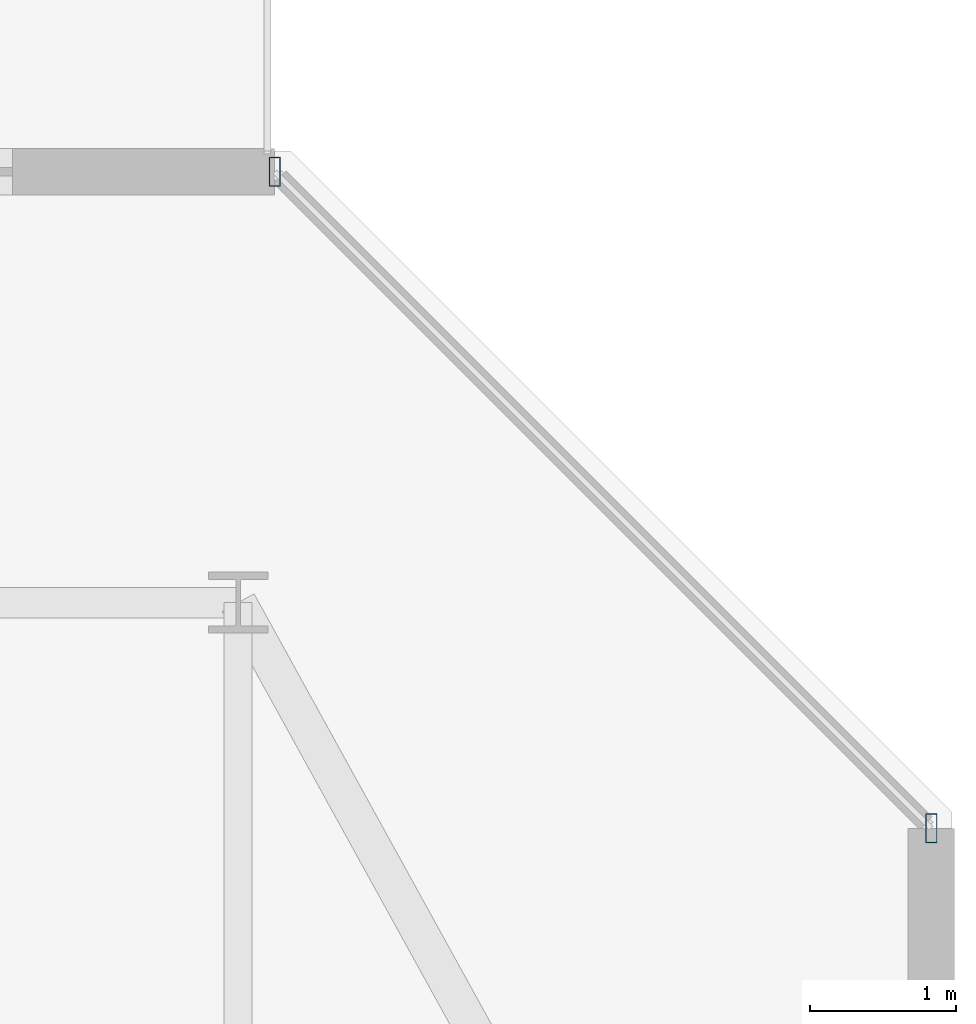
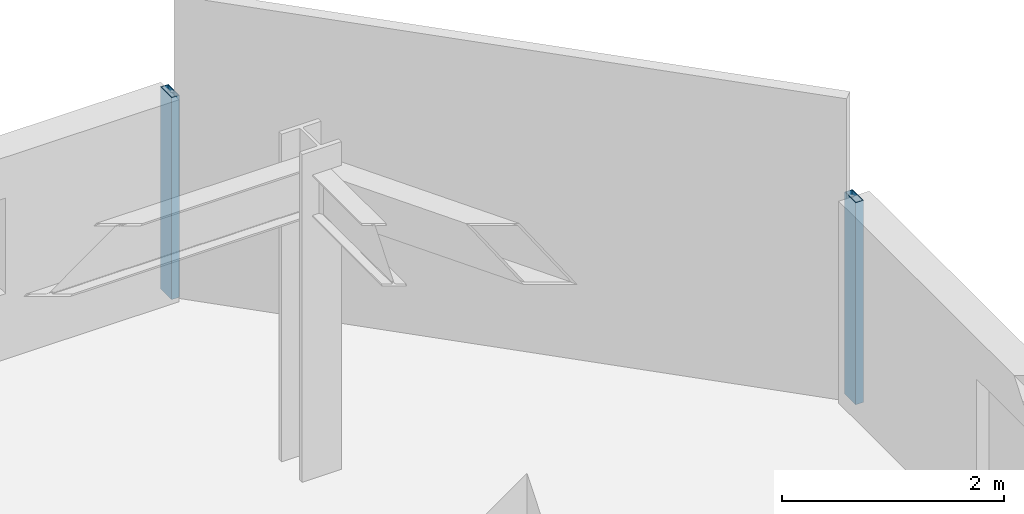
# One storey, part 16 of 36: 2 members, 1 element without a shape of its own.
"""IFC4 building model written with IfcOpenShell, lengths in metres."""

import ifcopenshell
import ifcopenshell.guid

model = None  # the IFC model being written
_history = None  # IfcOwnerHistory: only IFC2X3 demands one
_inside = {}  # id of a spatial element -> (the spatial element, [elements in it])
_under = {}  # id of a project, library or spatial element -> (it, [spatial elements below it])
_declared = {}  # id of a project -> (the project, [libraries it declares])
_typed = {}  # id of a type object -> (the type object, [elements of that type])
_made_of = {}  # id of a material, layer set ... -> (it, [elements and type objects made of it])


def new_model(schema):
    """Start an empty IFC model of exactly this schema.

    Asked for "IFC4X3", IfcOpenShell would pick the latest addendum, in which some entities
    have other attributes; the version numbers below select the first issue.
    IFC2X3 requires an IfcOwnerHistory on every rooted entity: one is made here for all.
    """
    global model, _history
    if schema == "IFC4X3":
        model = ifcopenshell.file(schema_version=(4, 3, 0, 0))
    else:
        model = ifcopenshell.file(schema=schema)
    _inside.clear()
    _under.clear()
    _declared.clear()
    _typed.clear()
    _made_of.clear()
    _history = None
    if model.schema == "IFC2X3":
        org = make("IfcOrganization", Name="unknown")
        user = make(
            "IfcPersonAndOrganization",
            ThePerson=make("IfcPerson", FamilyName="unknown"),
            TheOrganization=org,
        )
        app = make(
            "IfcApplication",
            ApplicationDeveloper=org,
            Version="unknown",
            ApplicationFullName="unknown",
            ApplicationIdentifier="unknown",
        )
        _history = make(
            "IfcOwnerHistory",
            OwningUser=user,
            OwningApplication=app,
            ChangeAction="ADDED",
            CreationDate=0,
        )
    return model


def make(cls, **values):
    """One entity of the class cls with the attributes given. An attribute that is None is left unset."""
    return model.create_entity(
        cls, **{name: value for name, value in values.items() if value is not None}
    )


def rooted(cls, **values):
    """An entity with a GlobalId (a new one), such as an element, a storey or a relation."""
    return make(cls, GlobalId=ifcopenshell.guid.new(), OwnerHistory=_history, **values)


def si_unit(unit_type, name, prefix=None):
    """IfcSIUnit, for example si_unit("LENGTHUNIT", "METRE", prefix="MILLI")."""
    return make("IfcSIUnit", UnitType=unit_type, Prefix=prefix, Name=name)


def assignment(units):
    """IfcUnitAssignment: the units of a project."""
    return None if units is None else make("IfcUnitAssignment", Units=units)


def point(xyz):
    """IfcCartesianPoint."""
    return None if xyz is None else make("IfcCartesianPoint", Coordinates=xyz)


def direction(xyz):
    """IfcDirection."""
    return None if xyz is None else make("IfcDirection", DirectionRatios=xyz)


def frame(location, z_axis=None, x_axis=None):
    """IfcAxis2Placement3D, a coordinate frame: its origin and axes. An axis left out is left unset."""
    return make(
        "IfcAxis2Placement3D",
        Location=point(location),
        Axis=direction(z_axis),
        RefDirection=direction(x_axis),
    )


def frame_2d(location, x_axis=None):
    """IfcAxis2Placement2D, a coordinate frame in the plane: its origin and x axis."""
    return make(
        "IfcAxis2Placement2D", Location=point(location), RefDirection=direction(x_axis)
    )


def origin():
    """The frame at (0, 0, 0) with its axes left unset."""
    return frame((0.0, 0.0, 0.0))


def origin_2d():
    """The frame at (0, 0) in the plane with its x axis left unset."""
    return frame_2d((0.0, 0.0))


def place(relative_to, where):
    """IfcLocalPlacement: puts the frame where relative to a parent placement (None: the world)."""
    return make(
        "IfcLocalPlacement", PlacementRelTo=relative_to, RelativePlacement=where
    )


def context(
    kind, dimensions, precision=None, world=None, true_north=None, identifier=None
):
    """IfcGeometricRepresentationContext, for example the 3D "Model" context."""
    return make(
        "IfcGeometricRepresentationContext",
        ContextIdentifier=identifier,
        ContextType=kind,
        CoordinateSpaceDimension=dimensions,
        Precision=precision,
        WorldCoordinateSystem=world,
        TrueNorth=true_north,
    )


def subcontext(parent, identifier, kind, view, scale=None):
    """IfcGeometricRepresentationSubContext, for example "Body" below "Model"."""
    return make(
        "IfcGeometricRepresentationSubContext",
        ContextIdentifier=identifier,
        ContextType=kind,
        ParentContext=parent,
        TargetScale=scale,
        TargetView=view,
    )


def project(units=None, contexts=None):
    """IfcProject with its units and contexts."""
    return rooted(
        "IfcProject",
        Name="project",
        RepresentationContexts=contexts,
        UnitsInContext=assignment(units),
    )


def spatial(cls, under=None, at=None, **own):
    """A site, building, storey or space (cls), placed at a placement, below another one or the project."""
    s = rooted(cls, ObjectPlacement=at, **own)
    if under is not None:
        _under.setdefault(under.id(), (under, []))[1].append(s)
    return s


def profile(cls, at=None, kind="AREA", **sizes):
    """A parametric profile (cls). Its sizes go by their IFC names, for example OverallWidth=200.0."""
    return make(cls, ProfileType=kind, Position=at, **sizes)


def hollow_rectangle(**sizes):
    """IfcRectangleHollowProfileDef."""
    return profile("IfcRectangleHollowProfileDef", **sizes)


def extrude(swept, where, along, depth):
    """IfcExtrudedAreaSolid: the profile swept, set in the frame where, extruded along a direction by depth."""
    return make(
        "IfcExtrudedAreaSolid",
        SweptArea=swept,
        Position=where,
        ExtrudedDirection=direction(along),
        Depth=depth,
    )


def shape(context_of_items, identifier, shape_type, items):
    """IfcShapeRepresentation: the items that make up one representation, for example the "Body"."""
    return make(
        "IfcShapeRepresentation",
        ContextOfItems=context_of_items,
        RepresentationIdentifier=identifier,
        RepresentationType=shape_type,
        Items=items,
    )


def material(Name=None, Category=None):
    """IfcMaterial."""
    return make("IfcMaterial", Name=Name, Category=Category)


def material_profile(
    of_material, cross_section, Name=None, Category=None, Priority=None
):
    """IfcMaterialProfile: a cross section and its material."""
    return make(
        "IfcMaterialProfile",
        Name=Name,
        Material=of_material,
        Profile=cross_section,
        Priority=Priority,
        Category=Category,
    )


def profile_set(profiles, Name=None, composite=None):
    """IfcMaterialProfileSet."""
    return make(
        "IfcMaterialProfileSet",
        Name=Name,
        MaterialProfiles=profiles,
        CompositeProfile=composite,
    )


def made_of(thing, what):
    """Note that an element or type object is made of a material, layer set ...; save() writes the relation."""
    if what is not None:
        _made_of.setdefault(what.id(), (what, []))[1].append(thing)
    return thing


def type_object(cls, material=None, **own):
    """A type object (cls), such as IfcWallType, which elements share."""
    return made_of(rooted(cls, **own), material)


def element(
    cls,
    number,
    at=None,
    inside=None,
    cuts=None,
    type_object=None,
    material=None,
    context=None,
    identifier="Body",
    shape_type=None,
    held_by="IfcProductDefinitionShape",
    body=None,
    shapes=None,
    **own,
):
    """One element of the class cls, such as IfcWall. Its Tag is "e" and its number.

    at: its placement. inside: the storey or other place that contains it. cuts: it is an
    opening in that element (IfcRelVoidsElement). A single representation is given by context,
    identifier, shape_type and body (its items); several are given by shapes. held_by: the class
    of the entity that holds the representations. save() writes the other relations.
    """
    e = rooted(cls, Tag="e%d" % number, ObjectPlacement=at, **own)
    if body is not None:
        shapes = [shape(context, identifier, shape_type, body)]
    if shapes is not None:
        e.Representation = make(held_by, Representations=shapes)
    if inside is not None:
        _inside.setdefault(inside.id(), (inside, []))[1].append(e)
    if cuts is not None:
        rooted(
            "IfcRelVoidsElement", RelatingBuildingElement=cuts, RelatedOpeningElement=e
        )
    if type_object is not None:
        _typed.setdefault(type_object.id(), (type_object, []))[1].append(e)
    return made_of(e, material)


def aggregate(whole, parts):
    """IfcRelAggregates: a whole, such as a stair, and the parts it consists of."""
    return rooted("IfcRelAggregates", RelatingObject=whole, RelatedObjects=parts)


def save(model, path):
    """Write the relations noted so far, then the file.

    IfcRelAggregates (storeys below a building ...), IfcRelContainedInSpatialStructure (elements
    in a storey), IfcRelDefinesByType, IfcRelAssociatesMaterial and IfcRelDeclares: one each for
    every whole, place, type object, material and project.
    """
    for whole, parts in _under.values():
        aggregate(whole, parts)
    for where, things in _inside.values():
        rooted(
            "IfcRelContainedInSpatialStructure",
            RelatedElements=things,
            RelatingStructure=where,
        )
    for kind, things in _typed.values():
        rooted("IfcRelDefinesByType", RelatedObjects=things, RelatingType=kind)
    for what, things in _made_of.values():
        rooted("IfcRelAssociatesMaterial", RelatedObjects=things, RelatingMaterial=what)
    for by, libraries in _declared.values():
        rooted("IfcRelDeclares", RelatingContext=by, RelatedDefinitions=libraries)
    model.write(path)


model = new_model("IFC4")

# Units and contexts
model_context = context("Model", 3, precision=1e-05, world=origin(), true_north=direction((0.0, 1.0)))
body_context = subcontext(model_context, "Body", "Model", "MODEL_VIEW")
ifc_project = project(units=[si_unit("LENGTHUNIT", "METRE"), si_unit("AREAUNIT", "SQUARE_METRE"), si_unit("VOLUMEUNIT", "CUBIC_METRE"), si_unit("PLANEANGLEUNIT", "RADIAN"), si_unit("MASSUNIT", "GRAM", prefix="KILO")], contexts=[model_context])

# Site, building, storey
site_placement = place(None, origin())
site = spatial("IfcSite", under=ifc_project, at=site_placement, CompositionType="ELEMENT")
building_placement = place(site_placement, origin())
building = spatial("IfcBuilding", under=site, at=building_placement, Name="Thornwick Lancets Civic Towers", CompositionType="ELEMENT")
storey_placement = place(building_placement, frame((0.0, 0.0, 196.5)))
storey = spatial("IfcBuildingStorey", under=building, at=storey_placement, Name="L52", CompositionType="ELEMENT", Elevation=196.5)

# Curtain wall, members
ifc_material_1 = material(Name="Mid-zone chamfered-corner unitised glass curtain wall", Category="glass")
curtain_wall_type = type_object("IfcCurtainWallType", Name="CW_SYS_04", PredefinedType="NOTDEFINED", material=ifc_material_1)
curtain_wall_placement = place(storey_placement, origin())
curtain_wall = element("IfcCurtainWall", 1, at=curtain_wall_placement, inside=storey, type_object=curtain_wall_type, Name="L52 Curtain Wall CW-L52-B-E3", PredefinedType="NOTDEFINED")
ifc_material_2 = material(Name="Thermally broken bronze aluminium S355", Category="steel")
ifc_material_profile = material_profile(ifc_material_2, hollow_rectangle(XDim=0.080078125, YDim=0.199951171875, WallThickness=0.006103515625, at=origin_2d()), Name="RHS 200x80x6")
ifc_profile_set = profile_set([ifc_material_profile], Name="Thermally broken bronze aluminium S355")
member_type = type_object("IfcMemberType", Name="CW_MUL_200", PredefinedType="MULLION", material=ifc_profile_set)
member_1_placement = place(storey_placement, frame((106.25830078125, 46.2509765625, 0.0), z_axis=(0.0, 0.0, 1.0), x_axis=(1.0, 0.0, 0.0)))
member_1 = element("IfcMember", 2, at=member_1_placement, type_object=member_type, Name="CW-L52-B-E3 Mullion 0", PredefinedType="MULLION", context=body_context, shape_type="SweptSolid", body=[
    extrude(hollow_rectangle(XDim=0.080078125, YDim=0.199951171875, WallThickness=0.006103515625, at=origin_2d()), origin(), (0.0, 0.0, 1.0), 2.219970703125),
])
member_2_placement = place(storey_placement, frame((101.7509765625, 50.75830078125, 0.0), z_axis=(0.0, 0.0, 1.0), x_axis=(1.0, 0.0, 0.0)))
member_2 = element("IfcMember", 3, at=member_2_placement, type_object=member_type, Name="CW-L52-B-E3 Mullion 1", PredefinedType="MULLION", context=body_context, shape_type="SweptSolid", body=[
    extrude(hollow_rectangle(XDim=0.080078125, YDim=0.199951171875, WallThickness=0.006103515625, at=origin_2d()), origin(), (0.0, 0.0, 1.0), 2.219970703125),
])
aggregate(curtain_wall, [member_1, member_2])

save(model, "model.ifc")
